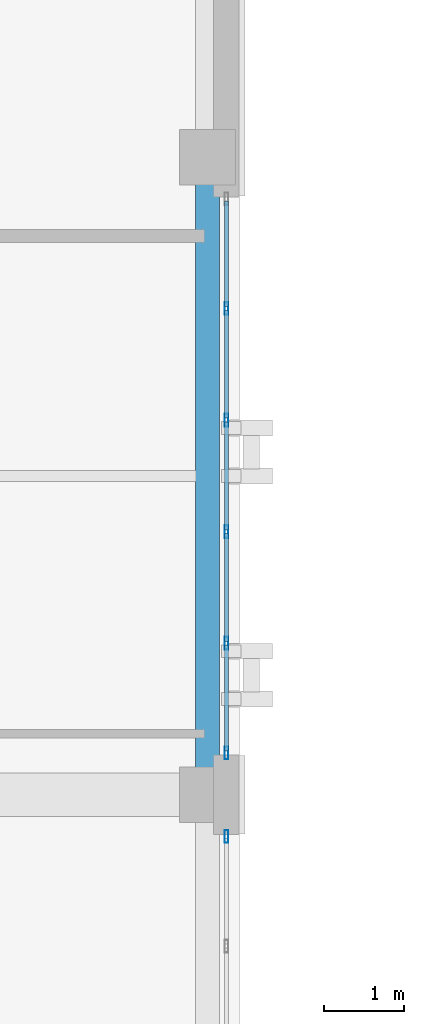
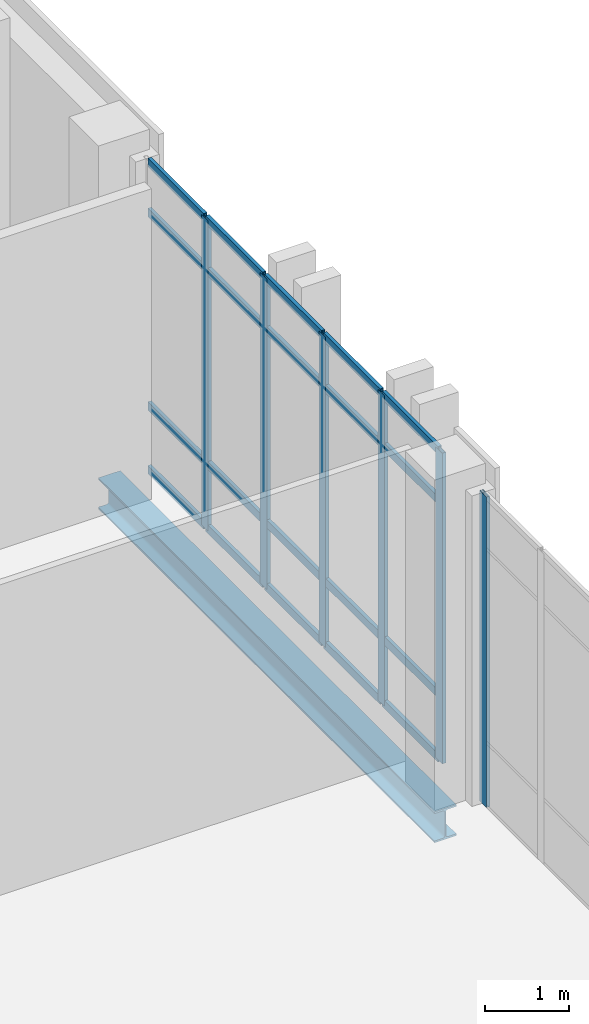
# One storey, part 65 of 189: 26 members, 1 beam, 2 elements without a shape of their own.
"""IFC4 building model written with IfcOpenShell, lengths in metres."""

from ifc_helpers import new_model, si_unit, direction, frame, origin, origin_2d, place, context, subcontext, project, spatial, hollow_rectangle, i_section, extrude, material, layer, layer_set, material_profile, profile_set, type_object, element, aggregate, save


model = new_model("IFC4")

# Units and contexts
model_context = context("Model", 3, precision=1e-05, world=origin(), true_north=direction((0.0, 1.0)))
body_context = subcontext(model_context, "Body", "Model", "MODEL_VIEW")
ifc_project = project(units=[si_unit("LENGTHUNIT", "METRE"), si_unit("AREAUNIT", "SQUARE_METRE"), si_unit("VOLUMEUNIT", "CUBIC_METRE"), si_unit("PLANEANGLEUNIT", "RADIAN"), si_unit("MASSUNIT", "GRAM", prefix="KILO")], contexts=[model_context])

# Site, building, storey
site_placement = place(None, origin())
site = spatial("IfcSite", under=ifc_project, at=site_placement, CompositionType="ELEMENT")
building_placement = place(site_placement, origin())
building = spatial("IfcBuilding", under=site, at=building_placement, Name="Qalavern Law Courts", CompositionType="ELEMENT")
storey_placement = place(building_placement, frame((0.0, 0.0, 5.39990234375)))
storey = spatial("IfcBuildingStorey", under=building, at=storey_placement, Name="L01", CompositionType="ELEMENT", Elevation=5.39990234375)

# Curtain wall, member
ifc_material_1 = material(Name="Anodised aluminium and insulated glazing", Category="aluminium")
ifc_layer = layer(ifc_material_1, 0.172119140625)
ifc_layer_set = layer_set([ifc_layer], Name="Anodised aluminium and insulated glazing")
curtain_wall_type = type_object("IfcCurtainWallType", Name="ENV-CW-COURT", PredefinedType="USERDEFINED", material=ifc_layer_set)
curtain_wall_1_placement = place(storey_placement, origin())
curtain_wall_1 = element("IfcCurtainWall", 1, at=curtain_wall_1_placement, inside=storey, type_object=curtain_wall_type, Name="V4 unitised curtain wall L01 east 2", ObjectType="UNITISED CURTAIN WALL", PredefinedType="USERDEFINED")
ifc_material_2 = material(Name="Anodised aluminium", Category="aluminium")
ifc_material_profile_1 = material_profile(ifc_material_2, hollow_rectangle(XDim=0.048095703125, YDim=0.159912109375, WallThickness=0.00390625, at=origin_2d()), Name="ALU MULLION 48x160")
ifc_profile_set_1 = profile_set([ifc_material_profile_1], Name="Anodised aluminium")
member_type_1 = type_object("IfcMemberType", Name="ENV-CWM-48x160", PredefinedType="MULLION", material=ifc_profile_set_1)
member_1_placement = place(storey_placement, frame((106.637451171875, 56.8759765625, 0.0), z_axis=(0.0, 0.0, 1.0), x_axis=(-1.0, 0.0, 0.0)))
member_1 = element("IfcMember", 2, at=member_1_placement, type_object=member_type_1, Name="CW-03 mullion 6", PredefinedType="MULLION", context=body_context, shape_type="SweptSolid", body=[
    extrude(hollow_rectangle(XDim=0.048095703125, YDim=0.159912109375, WallThickness=0.00390625, at=origin_2d()), origin(), (0.0, 0.0, 1.0), 4.510009765625),
])
aggregate(curtain_wall_1, [member_1])

# Curtain wall, members
curtain_wall_2_placement = place(storey_placement, origin())
curtain_wall_2 = element("IfcCurtainWall", 3, at=curtain_wall_2_placement, inside=storey, type_object=curtain_wall_type, Name="V4 unitised curtain wall L01 east 3", ObjectType="UNITISED CURTAIN WALL", PredefinedType="USERDEFINED")
member_2_placement = place(storey_placement, frame((106.637451171875, 57.924072265625, 0.0), z_axis=(0.0, 0.0, 1.0), x_axis=(-1.0, 0.0, 0.0)))
member_2 = element("IfcMember", 4, at=member_2_placement, type_object=member_type_1, Name="CW-03 mullion 1", PredefinedType="MULLION", context=body_context, shape_type="SweptSolid", body=[
    extrude(hollow_rectangle(XDim=0.048095703125, YDim=0.159912109375, WallThickness=0.00390625, at=origin_2d()), origin(), (0.0, 0.0, 1.0), 4.510009765625),
])
member_3_placement = place(storey_placement, frame((106.637451171875, 59.300048828125, 0.0), z_axis=(0.0, 0.0, 1.0), x_axis=(-1.0, 0.0, 0.0)))
member_3 = element("IfcMember", 5, at=member_3_placement, type_object=member_type_1, Name="CW-03 mullion 2", PredefinedType="MULLION", context=body_context, shape_type="SweptSolid", body=[
    extrude(hollow_rectangle(XDim=0.048095703125, YDim=0.159912109375, WallThickness=0.00390625, at=origin_2d()), origin(), (0.0, 0.0, 1.0), 4.510009765625),
])
member_4_placement = place(storey_placement, frame((106.637451171875, 60.699951171875, 0.0), z_axis=(0.0, 0.0, 1.0), x_axis=(-1.0, 0.0, 0.0)))
member_4 = element("IfcMember", 6, at=member_4_placement, type_object=member_type_1, Name="CW-03 mullion 3", PredefinedType="MULLION", context=body_context, shape_type="SweptSolid", body=[
    extrude(hollow_rectangle(XDim=0.048095703125, YDim=0.159912109375, WallThickness=0.00390625, at=origin_2d()), origin(), (0.0, 0.0, 1.0), 4.510009765625),
])
member_5_placement = place(storey_placement, frame((106.637451171875, 62.10009765625, 0.0), z_axis=(0.0, 0.0, 1.0), x_axis=(-1.0, 0.0, 0.0)))
member_5 = element("IfcMember", 7, at=member_5_placement, type_object=member_type_1, Name="CW-03 mullion 4", PredefinedType="MULLION", context=body_context, shape_type="SweptSolid", body=[
    extrude(hollow_rectangle(XDim=0.048095703125, YDim=0.159912109375, WallThickness=0.00390625, at=origin_2d()), origin(), (0.0, 0.0, 1.0), 4.510009765625),
])
member_6_placement = place(storey_placement, frame((106.637451171875, 63.5, 0.0), z_axis=(0.0, 0.0, 1.0), x_axis=(-1.0, 0.0, 0.0)))
member_6 = element("IfcMember", 8, at=member_6_placement, type_object=member_type_1, Name="CW-03 mullion 5", PredefinedType="MULLION", context=body_context, shape_type="SweptSolid", body=[
    extrude(hollow_rectangle(XDim=0.048095703125, YDim=0.159912109375, WallThickness=0.00390625, at=origin_2d()), origin(), (0.0, 0.0, 1.0), 4.510009765625),
])
ifc_material_profile_2 = material_profile(ifc_material_2, hollow_rectangle(XDim=0.048095703125, YDim=0.1201171875, WallThickness=0.00390625, at=origin_2d()), Name="ALU TRANSOM 48x120")
ifc_profile_set_2 = profile_set([ifc_material_profile_2], Name="Anodised aluminium")
member_type_2 = type_object("IfcMemberType", Name="ENV-CWT-48x120", PredefinedType="USERDEFINED", material=ifc_profile_set_2)
member_7_placement = place(storey_placement, frame((106.637451171875, 57.947998046875, 0.024169921875), z_axis=(0.0, 1.0, 0.0), x_axis=(-1.0, 0.0, 0.0)))
member_7 = element("IfcMember", 9, at=member_7_placement, type_object=member_type_2, Name="CW-03 transom 1.1", ObjectType="TRANSOM", PredefinedType="USERDEFINED", context=body_context, shape_type="SweptSolid", body=[
    extrude(hollow_rectangle(XDim=0.048095703125, YDim=0.1201171875, WallThickness=0.00390625, at=origin_2d()), origin(), (0.0, 0.0, 1.0), 1.327880859375),
])
member_8_placement = place(storey_placement, frame((106.637451171875, 57.947998046875, 0.9501953125), z_axis=(0.0, 1.0, 0.0), x_axis=(-1.0, 0.0, 0.0)))
member_8 = element("IfcMember", 10, at=member_8_placement, type_object=member_type_2, Name="CW-03 transom 1.2", ObjectType="TRANSOM", PredefinedType="USERDEFINED", context=body_context, shape_type="SweptSolid", body=[
    extrude(hollow_rectangle(XDim=0.048095703125, YDim=0.1201171875, WallThickness=0.00390625, at=origin_2d()), origin(), (0.0, 0.0, 1.0), 1.327880859375),
])
member_9_placement = place(storey_placement, frame((106.637451171875, 57.947998046875, 3.760009765625), z_axis=(0.0, 1.0, 0.0), x_axis=(-1.0, 0.0, 0.0)))
member_9 = element("IfcMember", 11, at=member_9_placement, type_object=member_type_2, Name="CW-03 transom 1.3", ObjectType="TRANSOM", PredefinedType="USERDEFINED", context=body_context, shape_type="SweptSolid", body=[
    extrude(hollow_rectangle(XDim=0.048095703125, YDim=0.1201171875, WallThickness=0.00390625, at=origin_2d()), origin(), (0.0, 0.0, 1.0), 1.327880859375),
])
member_10_placement = place(storey_placement, frame((106.637451171875, 57.947998046875, 4.486083984375), z_axis=(0.0, 1.0, 0.0), x_axis=(-1.0, 0.0, 0.0)))
member_10 = element("IfcMember", 12, at=member_10_placement, type_object=member_type_2, Name="CW-03 transom 1.4", ObjectType="TRANSOM", PredefinedType="USERDEFINED", context=body_context, shape_type="SweptSolid", body=[
    extrude(hollow_rectangle(XDim=0.048095703125, YDim=0.1201171875, WallThickness=0.00390625, at=origin_2d()), origin(), (0.0, 0.0, 1.0), 1.327880859375),
])
member_11_placement = place(storey_placement, frame((106.637451171875, 59.323974609375, 0.024169921875), z_axis=(0.0, 1.0, 0.0), x_axis=(-1.0, 0.0, 0.0)))
member_11 = element("IfcMember", 13, at=member_11_placement, type_object=member_type_2, Name="CW-03 transom 2.1", ObjectType="TRANSOM", PredefinedType="USERDEFINED", context=body_context, shape_type="SweptSolid", body=[
    extrude(hollow_rectangle(XDim=0.048095703125, YDim=0.1201171875, WallThickness=0.00390625, at=origin_2d()), origin(), (0.0, 0.0, 1.0), 1.35205078125),
])
member_12_placement = place(storey_placement, frame((106.637451171875, 59.323974609375, 0.9501953125), z_axis=(0.0, 1.0, 0.0), x_axis=(-1.0, 0.0, 0.0)))
member_12 = element("IfcMember", 14, at=member_12_placement, type_object=member_type_2, Name="CW-03 transom 2.2", ObjectType="TRANSOM", PredefinedType="USERDEFINED", context=body_context, shape_type="SweptSolid", body=[
    extrude(hollow_rectangle(XDim=0.048095703125, YDim=0.1201171875, WallThickness=0.00390625, at=origin_2d()), origin(), (0.0, 0.0, 1.0), 1.35205078125),
])
member_13_placement = place(storey_placement, frame((106.637451171875, 59.323974609375, 3.760009765625), z_axis=(0.0, 1.0, 0.0), x_axis=(-1.0, 0.0, 0.0)))
member_13 = element("IfcMember", 15, at=member_13_placement, type_object=member_type_2, Name="CW-03 transom 2.3", ObjectType="TRANSOM", PredefinedType="USERDEFINED", context=body_context, shape_type="SweptSolid", body=[
    extrude(hollow_rectangle(XDim=0.048095703125, YDim=0.1201171875, WallThickness=0.00390625, at=origin_2d()), origin(), (0.0, 0.0, 1.0), 1.35205078125),
])
member_14_placement = place(storey_placement, frame((106.637451171875, 59.323974609375, 4.486083984375), z_axis=(0.0, 1.0, 0.0), x_axis=(-1.0, 0.0, 0.0)))
member_14 = element("IfcMember", 16, at=member_14_placement, type_object=member_type_2, Name="CW-03 transom 2.4", ObjectType="TRANSOM", PredefinedType="USERDEFINED", context=body_context, shape_type="SweptSolid", body=[
    extrude(hollow_rectangle(XDim=0.048095703125, YDim=0.1201171875, WallThickness=0.00390625, at=origin_2d()), origin(), (0.0, 0.0, 1.0), 1.35205078125),
])
member_15_placement = place(storey_placement, frame((106.637451171875, 60.72412109375, 0.024169921875), z_axis=(0.0, 1.0, 0.0), x_axis=(-1.0, 0.0, 0.0)))
member_15 = element("IfcMember", 17, at=member_15_placement, type_object=member_type_2, Name="CW-03 transom 3.1", ObjectType="TRANSOM", PredefinedType="USERDEFINED", context=body_context, shape_type="SweptSolid", body=[
    extrude(hollow_rectangle(XDim=0.048095703125, YDim=0.1201171875, WallThickness=0.00390625, at=origin_2d()), origin(), (0.0, 0.0, 1.0), 1.351806640625),
])
member_16_placement = place(storey_placement, frame((106.637451171875, 60.72412109375, 0.9501953125), z_axis=(0.0, 1.0, 0.0), x_axis=(-1.0, 0.0, 0.0)))
member_16 = element("IfcMember", 18, at=member_16_placement, type_object=member_type_2, Name="CW-03 transom 3.2", ObjectType="TRANSOM", PredefinedType="USERDEFINED", context=body_context, shape_type="SweptSolid", body=[
    extrude(hollow_rectangle(XDim=0.048095703125, YDim=0.1201171875, WallThickness=0.00390625, at=origin_2d()), origin(), (0.0, 0.0, 1.0), 1.351806640625),
])
member_17_placement = place(storey_placement, frame((106.637451171875, 60.72412109375, 3.760009765625), z_axis=(0.0, 1.0, 0.0), x_axis=(-1.0, 0.0, 0.0)))
member_17 = element("IfcMember", 19, at=member_17_placement, type_object=member_type_2, Name="CW-03 transom 3.3", ObjectType="TRANSOM", PredefinedType="USERDEFINED", context=body_context, shape_type="SweptSolid", body=[
    extrude(hollow_rectangle(XDim=0.048095703125, YDim=0.1201171875, WallThickness=0.00390625, at=origin_2d()), origin(), (0.0, 0.0, 1.0), 1.351806640625),
])
member_18_placement = place(storey_placement, frame((106.637451171875, 60.72412109375, 4.486083984375), z_axis=(0.0, 1.0, 0.0), x_axis=(-1.0, 0.0, 0.0)))
member_18 = element("IfcMember", 20, at=member_18_placement, type_object=member_type_2, Name="CW-03 transom 3.4", ObjectType="TRANSOM", PredefinedType="USERDEFINED", context=body_context, shape_type="SweptSolid", body=[
    extrude(hollow_rectangle(XDim=0.048095703125, YDim=0.1201171875, WallThickness=0.00390625, at=origin_2d()), origin(), (0.0, 0.0, 1.0), 1.351806640625),
])
member_19_placement = place(storey_placement, frame((106.637451171875, 62.1240234375, 0.024169921875), z_axis=(0.0, 1.0, 0.0), x_axis=(-1.0, 0.0, 0.0)))
member_19 = element("IfcMember", 21, at=member_19_placement, type_object=member_type_2, Name="CW-03 transom 4.1", ObjectType="TRANSOM", PredefinedType="USERDEFINED", context=body_context, shape_type="SweptSolid", body=[
    extrude(hollow_rectangle(XDim=0.048095703125, YDim=0.1201171875, WallThickness=0.00390625, at=origin_2d()), origin(), (0.0, 0.0, 1.0), 1.35205078125),
])
member_20_placement = place(storey_placement, frame((106.637451171875, 62.1240234375, 0.9501953125), z_axis=(0.0, 1.0, 0.0), x_axis=(-1.0, 0.0, 0.0)))
member_20 = element("IfcMember", 22, at=member_20_placement, type_object=member_type_2, Name="CW-03 transom 4.2", ObjectType="TRANSOM", PredefinedType="USERDEFINED", context=body_context, shape_type="SweptSolid", body=[
    extrude(hollow_rectangle(XDim=0.048095703125, YDim=0.1201171875, WallThickness=0.00390625, at=origin_2d()), origin(), (0.0, 0.0, 1.0), 1.35205078125),
])
member_21_placement = place(storey_placement, frame((106.637451171875, 62.1240234375, 3.760009765625), z_axis=(0.0, 1.0, 0.0), x_axis=(-1.0, 0.0, 0.0)))
member_21 = element("IfcMember", 23, at=member_21_placement, type_object=member_type_2, Name="CW-03 transom 4.3", ObjectType="TRANSOM", PredefinedType="USERDEFINED", context=body_context, shape_type="SweptSolid", body=[
    extrude(hollow_rectangle(XDim=0.048095703125, YDim=0.1201171875, WallThickness=0.00390625, at=origin_2d()), origin(), (0.0, 0.0, 1.0), 1.35205078125),
])
member_22_placement = place(storey_placement, frame((106.637451171875, 62.1240234375, 4.486083984375), z_axis=(0.0, 1.0, 0.0), x_axis=(-1.0, 0.0, 0.0)))
member_22 = element("IfcMember", 24, at=member_22_placement, type_object=member_type_2, Name="CW-03 transom 4.4", ObjectType="TRANSOM", PredefinedType="USERDEFINED", context=body_context, shape_type="SweptSolid", body=[
    extrude(hollow_rectangle(XDim=0.048095703125, YDim=0.1201171875, WallThickness=0.00390625, at=origin_2d()), origin(), (0.0, 0.0, 1.0), 1.35205078125),
])
member_23_placement = place(storey_placement, frame((106.637451171875, 63.52392578125, 0.024169921875), z_axis=(0.0, 1.0, 0.0), x_axis=(-1.0, 0.0, 0.0)))
member_23 = element("IfcMember", 25, at=member_23_placement, type_object=member_type_2, Name="CW-03 transom 5.1", ObjectType="TRANSOM", PredefinedType="USERDEFINED", context=body_context, shape_type="SweptSolid", body=[
    extrude(hollow_rectangle(XDim=0.048095703125, YDim=0.1201171875, WallThickness=0.00390625, at=origin_2d()), origin(), (0.0, 0.0, 1.0), 1.328125),
])
member_24_placement = place(storey_placement, frame((106.637451171875, 63.52392578125, 0.9501953125), z_axis=(0.0, 1.0, 0.0), x_axis=(-1.0, 0.0, 0.0)))
member_24 = element("IfcMember", 26, at=member_24_placement, type_object=member_type_2, Name="CW-03 transom 5.2", ObjectType="TRANSOM", PredefinedType="USERDEFINED", context=body_context, shape_type="SweptSolid", body=[
    extrude(hollow_rectangle(XDim=0.048095703125, YDim=0.1201171875, WallThickness=0.00390625, at=origin_2d()), origin(), (0.0, 0.0, 1.0), 1.328125),
])
member_25_placement = place(storey_placement, frame((106.637451171875, 63.52392578125, 3.760009765625), z_axis=(0.0, 1.0, 0.0), x_axis=(-1.0, 0.0, 0.0)))
member_25 = element("IfcMember", 27, at=member_25_placement, type_object=member_type_2, Name="CW-03 transom 5.3", ObjectType="TRANSOM", PredefinedType="USERDEFINED", context=body_context, shape_type="SweptSolid", body=[
    extrude(hollow_rectangle(XDim=0.048095703125, YDim=0.1201171875, WallThickness=0.00390625, at=origin_2d()), origin(), (0.0, 0.0, 1.0), 1.328125),
])
member_26_placement = place(storey_placement, frame((106.637451171875, 63.52392578125, 4.486083984375), z_axis=(0.0, 1.0, 0.0), x_axis=(-1.0, 0.0, 0.0)))
member_26 = element("IfcMember", 28, at=member_26_placement, type_object=member_type_2, Name="CW-03 transom 5.4", ObjectType="TRANSOM", PredefinedType="USERDEFINED", context=body_context, shape_type="SweptSolid", body=[
    extrude(hollow_rectangle(XDim=0.048095703125, YDim=0.1201171875, WallThickness=0.00390625, at=origin_2d()), origin(), (0.0, 0.0, 1.0), 1.328125),
])
aggregate(curtain_wall_2, [member_2, member_3, member_4, member_5, member_6, member_7, member_8, member_9, member_10, member_11, member_12, member_13, member_14, member_15, member_16, member_17, member_18, member_19, member_20, member_21, member_22, member_23, member_24, member_25, member_26])

# Beam
ifc_material_3 = material(Name="Steel S355", Category="steel")
ifc_material_profile_3 = material_profile(ifc_material_3, i_section(OverallWidth=0.300048828125, OverallDepth=0.449951171875, WebThickness=0.013916015625, FlangeThickness=0.02587890625, FilletRadius=0.027099609375, at=origin_2d()), Name="HEB 450")
ifc_profile_set_3 = profile_set([ifc_material_profile_3], Name="Steel S355")
beam_type = type_object("IfcBeamType", Name="STR-SP-HEB450", PredefinedType="SPANDREL", material=ifc_profile_set_3)
beam_placement = place(storey_placement, frame((106.39990234375, 57.39990234375, -0.52490234375), z_axis=(0.0, 1.0, 0.0), x_axis=(-1.0, 0.0, 0.0)))
element("IfcBeam", 29, at=beam_placement, inside=storey, type_object=beam_type, Name="V4 Y-beam 3-3 L01", PredefinedType="SPANDREL", context=body_context, shape_type="SweptSolid", body=[
    extrude(i_section(OverallWidth=0.300048828125, OverallDepth=0.449951171875, WebThickness=0.013916015625, FlangeThickness=0.02587890625, FilletRadius=0.027099609375, at=origin_2d()), origin(), (0.0, 0.0, 1.0), 8.0),
])

save(model, "model.ifc")
